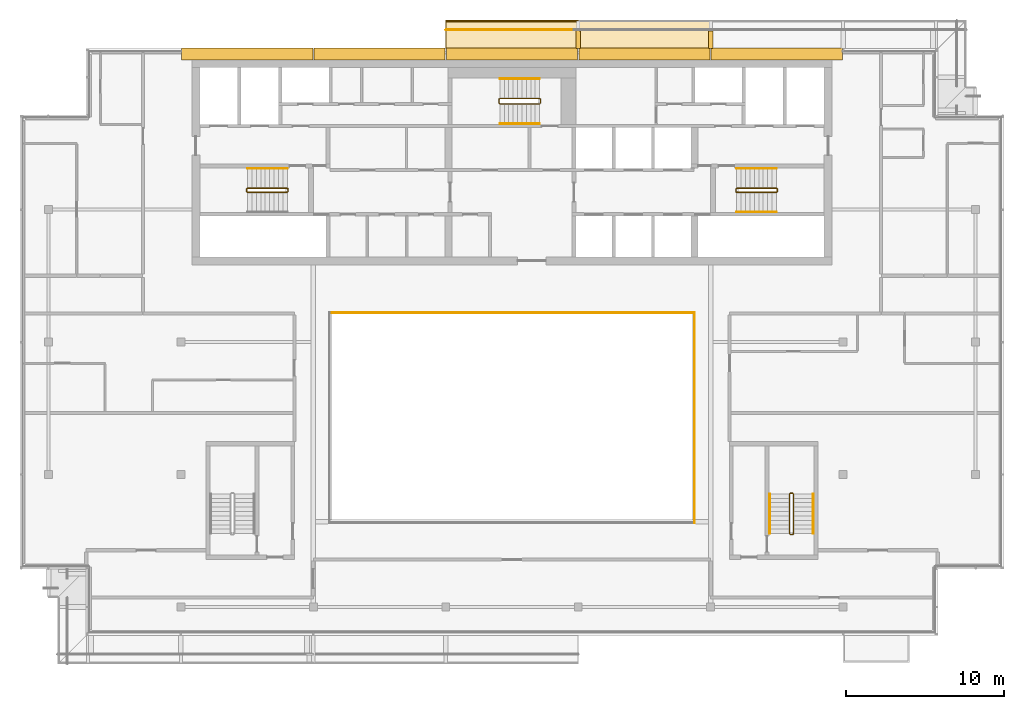
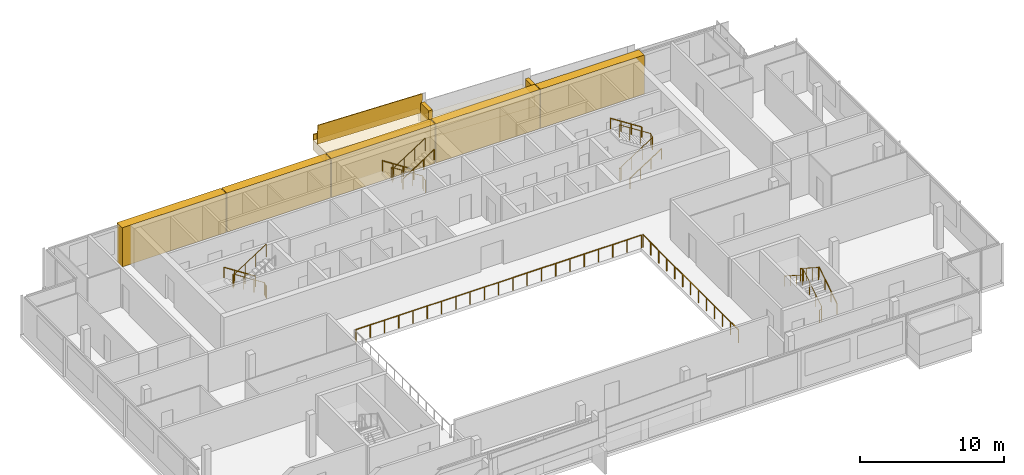
# One storey, part 19 of 22: 14 railings, 10 coverings.
"""IFC4 building model written with IfcOpenShell, lengths in metres."""

from ifc_helpers import new_model, si_unit, direction, frame, origin, origin_2d, place, context, subcontext, project, spatial, polyline, rectangle, circle, outline, extrude, material, layer, layer_set, type_object, element, save


model = new_model("IFC4")

# Units and contexts
model_context = context("Model", 3, precision=1e-05, world=origin(), true_north=direction((0.0, 1.0)))
body_context = subcontext(model_context, "Body", "Model", "MODEL_VIEW")
ifc_project = project(units=[si_unit("LENGTHUNIT", "METRE"), si_unit("AREAUNIT", "SQUARE_METRE"), si_unit("VOLUMEUNIT", "CUBIC_METRE"), si_unit("PLANEANGLEUNIT", "RADIAN"), si_unit("MASSUNIT", "GRAM", prefix="KILO")], contexts=[model_context])

# Site, building, storey
site_placement = place(None, origin())
site = spatial("IfcSite", under=ifc_project, at=site_placement, CompositionType="ELEMENT")
building_placement = place(site_placement, origin())
building = spatial("IfcBuilding", under=site, at=building_placement, Name="Saffron Gate Tower", CompositionType="ELEMENT")
storey_placement = place(building_placement, frame((0.0, 0.0, 295.949951171875)))
storey = spatial("IfcBuildingStorey", under=building, at=storey_placement, Name="L72", CompositionType="ELEMENT", Elevation=295.949951171875)

# Railings
ifc_material_1 = material(Name="Stainless steel and laminated glass", Category="steel")
railing_type_1 = type_object("IfcRailingType", Name="AG1 Atrium edge guard 1100", PredefinedType="GUARDRAIL", material=ifc_material_1)
railing_1_placement = place(storey_placement, frame((76.139892578125, 58.860107421875, 0.0)))
element("IfcRailing", 1, at=railing_1_placement, inside=storey, type_object=railing_type_1, Name="Guard E5-2", PredefinedType="GUARDRAIL", context=body_context, shape_type="SweptSolid", body=[
    extrude(circle(Radius=0.02392578125, at=origin_2d()), frame((0.0, 0.0, 1.076171875), z_axis=(1.0, 0.0, 0.0), x_axis=(0.0, 1.0, 0.0)), (0.0, 0.0, 1.0), 22.920166015625),
    extrude(circle(Radius=0.02099609375, at=origin_2d()), origin(), (0.0, 0.0, 1.0), 1.052001953125),
    extrude(circle(Radius=0.02099609375, at=origin_2d()), frame((1.14599609375, 0.0, 0.0)), (0.0, 0.0, 1.0), 1.052001953125),
    extrude(circle(Radius=0.02099609375, at=origin_2d()), frame((2.2919921875, 0.0, 0.0)), (0.0, 0.0, 1.0), 1.052001953125),
    extrude(circle(Radius=0.02099609375, at=origin_2d()), frame((3.43798828125, 0.0, 0.0)), (0.0, 0.0, 1.0), 1.052001953125),
    extrude(circle(Radius=0.02099609375, at=origin_2d()), frame((4.583984375, 0.0, 0.0)), (0.0, 0.0, 1.0), 1.052001953125),
    extrude(circle(Radius=0.02099609375, at=origin_2d()), frame((5.72998046875, 0.0, 0.0)), (0.0, 0.0, 1.0), 1.052001953125),
    extrude(circle(Radius=0.02099609375, at=origin_2d()), frame((6.8759765625, 0.0, 0.0)), (0.0, 0.0, 1.0), 1.052001953125),
    extrude(circle(Radius=0.02099609375, at=origin_2d()), frame((8.02197265625, 0.0, 0.0)), (0.0, 0.0, 1.0), 1.052001953125),
    extrude(circle(Radius=0.02099609375, at=origin_2d()), frame((9.16796875, 0.0, 0.0)), (0.0, 0.0, 1.0), 1.052001953125),
    extrude(circle(Radius=0.02099609375, at=origin_2d()), frame((10.31396484375, 0.0, 0.0)), (0.0, 0.0, 1.0), 1.052001953125),
    extrude(circle(Radius=0.02099609375, at=origin_2d()), frame((11.4599609375, 0.0, 0.0)), (0.0, 0.0, 1.0), 1.052001953125),
    extrude(circle(Radius=0.02099609375, at=origin_2d()), frame((12.606201171875, 0.0, 0.0)), (0.0, 0.0, 1.0), 1.052001953125),
    extrude(circle(Radius=0.02099609375, at=origin_2d()), frame((13.752197265625, 0.0, 0.0)), (0.0, 0.0, 1.0), 1.052001953125),
    extrude(circle(Radius=0.02099609375, at=origin_2d()), frame((14.898193359375, 0.0, 0.0)), (0.0, 0.0, 1.0), 1.052001953125),
    extrude(circle(Radius=0.02099609375, at=origin_2d()), frame((16.044189453125, 0.0, 0.0)), (0.0, 0.0, 1.0), 1.052001953125),
    extrude(circle(Radius=0.02099609375, at=origin_2d()), frame((17.190185546875, 0.0, 0.0)), (0.0, 0.0, 1.0), 1.052001953125),
    extrude(circle(Radius=0.02099609375, at=origin_2d()), frame((18.336181640625, 0.0, 0.0)), (0.0, 0.0, 1.0), 1.052001953125),
    extrude(circle(Radius=0.02099609375, at=origin_2d()), frame((19.482177734375, 0.0, 0.0)), (0.0, 0.0, 1.0), 1.052001953125),
    extrude(circle(Radius=0.02099609375, at=origin_2d()), frame((20.628173828125, 0.0, 0.0)), (0.0, 0.0, 1.0), 1.052001953125),
    extrude(circle(Radius=0.02099609375, at=origin_2d()), frame((21.774169921875, 0.0, 0.0)), (0.0, 0.0, 1.0), 1.052001953125),
    extrude(circle(Radius=0.02099609375, at=origin_2d()), frame((22.920166015625, 0.0, 0.0)), (0.0, 0.0, 1.0), 1.052001953125),
])
railing_2_placement = place(storey_placement, frame((99.179931640625, 58.860107421875, 0.0)))
element("IfcRailing", 2, at=railing_2_placement, inside=storey, type_object=railing_type_1, Name="Guard E5-3", PredefinedType="GUARDRAIL", context=body_context, shape_type="SweptSolid", body=[
    extrude(circle(Radius=0.02392578125, at=origin_2d()), frame((0.0, 0.0, 1.076171875), z_axis=(0.0, -1.0, 0.0), x_axis=(1.0, 0.0, 0.0)), (0.0, 0.0, 1.0), 13.320068359375),
    extrude(circle(Radius=0.02099609375, at=origin_2d()), origin(), (0.0, 0.0, 1.0), 1.052001953125),
    extrude(circle(Radius=0.02099609375, at=origin_2d()), frame((0.0, -1.110107421875, 0.0)), (0.0, 0.0, 1.0), 1.052001953125),
    extrude(circle(Radius=0.02099609375, at=origin_2d()), frame((0.0, -2.219970703125, 0.0)), (0.0, 0.0, 1.0), 1.052001953125),
    extrude(circle(Radius=0.02099609375, at=origin_2d()), frame((0.0, -3.330078125, 0.0)), (0.0, 0.0, 1.0), 1.052001953125),
    extrude(circle(Radius=0.02099609375, at=origin_2d()), frame((0.0, -4.43994140625, 0.0)), (0.0, 0.0, 1.0), 1.052001953125),
    extrude(circle(Radius=0.02099609375, at=origin_2d()), frame((0.0, -5.550048828125, 0.0)), (0.0, 0.0, 1.0), 1.052001953125),
    extrude(circle(Radius=0.02099609375, at=origin_2d()), frame((0.0, -6.66015625, 0.0)), (0.0, 0.0, 1.0), 1.052001953125),
    extrude(circle(Radius=0.02099609375, at=origin_2d()), frame((0.0, -7.77001953125, 0.0)), (0.0, 0.0, 1.0), 1.052001953125),
    extrude(circle(Radius=0.02099609375, at=origin_2d()), frame((0.0, -8.880126953125, 0.0)), (0.0, 0.0, 1.0), 1.052001953125),
    extrude(circle(Radius=0.02099609375, at=origin_2d()), frame((0.0, -9.989990234375, 0.0)), (0.0, 0.0, 1.0), 1.052001953125),
    extrude(circle(Radius=0.02099609375, at=origin_2d()), frame((0.0, -11.10009765625, 0.0)), (0.0, 0.0, 1.0), 1.052001953125),
    extrude(circle(Radius=0.02099609375, at=origin_2d()), frame((0.0, -12.2099609375, 0.0)), (0.0, 0.0, 1.0), 1.052001953125),
    extrude(circle(Radius=0.02099609375, at=origin_2d()), frame((0.0, -13.320068359375, 0.0)), (0.0, 0.0, 1.0), 1.052001953125),
])

# Coverings
ifc_material_2 = material(Name="Ceramic-printed bronze insulated panel")
ifc_layer_1 = layer(ifc_material_2, 0.739990234375)
ifc_layer_set_1 = layer_set([ifc_layer_1], Name="CLD5 ceramic-printed cladding panel 740")
covering_type_1 = type_object("IfcCoveringType", Name="CLD5 ceramic-printed cladding panel 740", PredefinedType="CLADDING", material=ifc_layer_set_1)
covering_1_placement = place(storey_placement, origin())
element("IfcCovering", 3, at=covering_1_placement, inside=storey, type_object=covering_type_1, Name="CLADDING ceramic-printed panel", PredefinedType="CLADDING", context=body_context, shape_type="SweptSolid", body=[
    extrude(outline(polyline([(108.56494140625, 75.639892578125), (100.235107421875, 75.639892578125), (100.235107421875, 74.89990234375), (108.56494140625, 74.89990234375), (108.56494140625, 75.639892578125)])), origin(), (0.0, 0.0, 1.0), 3.320068359375),
])
covering_2_placement = place(storey_placement, origin())
element("IfcCovering", 4, at=covering_2_placement, inside=storey, type_object=covering_type_1, Name="CLADDING ceramic-printed panel", PredefinedType="CLADDING", context=body_context, shape_type="SweptSolid", body=[
    extrude(outline(polyline([(100.1650390625, 75.639892578125), (91.8349609375, 75.639892578125), (91.8349609375, 74.89990234375), (100.1650390625, 74.89990234375), (100.1650390625, 75.639892578125)])), origin(), (0.0, 0.0, 1.0), 3.320068359375),
])
covering_3_placement = place(storey_placement, origin())
element("IfcCovering", 5, at=covering_3_placement, inside=storey, type_object=covering_type_1, Name="CLADDING ceramic-printed panel", PredefinedType="CLADDING", context=body_context, shape_type="SweptSolid", body=[
    extrude(outline(polyline([(91.764892578125, 75.639892578125), (83.43505859375, 75.639892578125), (83.43505859375, 74.89990234375), (91.764892578125, 74.89990234375), (91.764892578125, 75.639892578125)])), origin(), (0.0, 0.0, 1.0), 3.320068359375),
])
covering_4_placement = place(storey_placement, origin())
element("IfcCovering", 6, at=covering_4_placement, inside=storey, type_object=covering_type_1, Name="CLADDING ceramic-printed panel", PredefinedType="CLADDING", context=body_context, shape_type="SweptSolid", body=[
    extrude(outline(polyline([(83.364990234375, 75.639892578125), (75.034912109375, 75.639892578125), (75.034912109375, 74.89990234375), (83.364990234375, 74.89990234375), (83.364990234375, 75.639892578125)])), origin(), (0.0, 0.0, 1.0), 3.320068359375),
])
covering_5_placement = place(storey_placement, origin())
element("IfcCovering", 7, at=covering_5_placement, inside=storey, type_object=covering_type_1, Name="CLADDING ceramic-printed panel", PredefinedType="CLADDING", context=body_context, shape_type="SweptSolid", body=[
    extrude(outline(polyline([(74.965087890625, 75.639892578125), (66.635009765625, 75.639892578125), (66.635009765625, 74.89990234375), (74.965087890625, 74.89990234375), (74.965087890625, 75.639892578125)])), origin(), (0.0, 0.0, 1.0), 3.320068359375),
])

# Railings
railing_type_2 = type_object("IfcRailingType", Name="CR1 Stair guard 1100", PredefinedType="GUARDRAIL", material=ifc_material_1)
railing_3_placement = place(storey_placement, frame((73.39990234375, 66.550048828125, 0.0)))
element("IfcRailing", 8, at=railing_3_placement, inside=storey, type_object=railing_type_2, Name="L72 ST-A stair guard 1", PredefinedType="GUARDRAIL", context=body_context, shape_type="SweptSolid", body=[
    extrude(circle(Radius=0.02392578125, at=origin_2d()), frame((0.0, 0.0, 1.076171875), z_axis=(0.0, 1.0, 0.0), x_axis=(-1.0, 0.0, 0.0)), (0.0, 0.0, 1.0), 0.14990234375),
    extrude(circle(Radius=0.02392578125, at=origin_2d()), frame((0.0, 0.14990234375, 1.076171875), z_axis=(-0.257669022063, 0.258932105505, 0.930892496375), x_axis=(-0.708833529934, -0.705375805398, 0.0)), (0.0, 0.0, 1.0), 0.193359375),
    extrude(circle(Radius=0.02392578125, at=origin_2d()), frame((-0.0498046875, 0.199951171875, 1.255859375), z_axis=(-0.841162588446, 0.0, 0.540782303519), x_axis=(0.0, -1.0, 0.0)), (0.0, 0.0, 1.0), 2.995849609375),
    extrude(circle(Radius=0.02392578125, at=origin_2d()), frame((-2.56982421875, 0.199951171875, 2.8759765625), z_axis=(-0.707106781187, -0.707106781187, 0.0), x_axis=(0.707106781187, -0.707106781187, 0.0)), (0.0, 0.0, 1.0), 0.07080078125),
    extrude(circle(Radius=0.02392578125, at=origin_2d()), frame((-2.619873046875, 0.14990234375, 2.8759765625), z_axis=(0.0, -1.0, 0.0), x_axis=(1.0, 0.0, 0.0)), (0.0, 0.0, 1.0), 0.14990234375),
    extrude(circle(Radius=0.02392578125, at=origin_2d()), frame((-2.619873046875, 0.0, 2.8759765625), z_axis=(0.258847668887, -0.258847668887, 0.930588936439), x_axis=(0.707106781187, 0.707106781187, 0.0)), (0.0, 0.0, 1.0), 0.193359375),
    extrude(circle(Radius=0.02392578125, at=origin_2d()), frame((-2.56982421875, -0.050048828125, 3.05615234375), z_axis=(0.841162588446, 0.0, 0.540782303519), x_axis=(0.0, 1.0, 0.0)), (0.0, 0.0, 1.0), 2.995849609375),
    extrude(circle(Radius=0.02099609375, at=origin_2d()), origin(), (0.0, 0.0, 1.0), 1.052001953125),
    extrude(circle(Radius=0.02099609375, at=origin_2d()), frame((0.0, 0.14990234375, 0.0)), (0.0, 0.0, 1.0), 1.052001953125),
    extrude(circle(Radius=0.02099609375, at=origin_2d()), frame((-0.0498046875, 0.199951171875, 0.179931640625)), (0.0, 0.0, 1.0), 1.052001953125),
    extrude(circle(Radius=0.02099609375, at=origin_2d()), frame((-0.889892578125, 0.199951171875, 0.719970703125)), (0.0, 0.0, 1.0), 1.052001953125),
    extrude(circle(Radius=0.02099609375, at=origin_2d()), frame((-1.729736328125, 0.199951171875, 1.260009765625)), (0.0, 0.0, 1.0), 1.052001953125),
    extrude(circle(Radius=0.02099609375, at=origin_2d()), frame((-2.56982421875, 0.199951171875, 1.800048828125)), (0.0, 0.0, 1.0), 1.052001953125),
    extrude(circle(Radius=0.02099609375, at=origin_2d()), frame((-2.619873046875, 0.14990234375, 1.800048828125)), (0.0, 0.0, 1.0), 1.052001953125),
    extrude(circle(Radius=0.02099609375, at=origin_2d()), frame((-2.619873046875, 0.0, 1.800048828125)), (0.0, 0.0, 1.0), 1.052001953125),
    extrude(circle(Radius=0.02099609375, at=origin_2d()), frame((-2.56982421875, -0.050048828125, 1.97998046875)), (0.0, 0.0, 1.0), 1.052001953125),
    extrude(circle(Radius=0.02099609375, at=origin_2d()), frame((-1.729736328125, -0.050048828125, 2.52001953125)), (0.0, 0.0, 1.0), 1.052001953125),
    extrude(circle(Radius=0.02099609375, at=origin_2d()), frame((-0.889892578125, -0.050048828125, 3.06005859375)), (0.0, 0.0, 1.0), 1.052001953125),
    extrude(circle(Radius=0.02099609375, at=origin_2d()), frame((-0.0498046875, -0.050048828125, 3.60009765625)), (0.0, 0.0, 1.0), 1.052001953125),
])
railing_4_placement = place(storey_placement, frame((101.800048828125, 66.699951171875, 0.0)))
element("IfcRailing", 9, at=railing_4_placement, inside=storey, type_object=railing_type_2, Name="L72 ST-B stair guard 1", PredefinedType="GUARDRAIL", context=body_context, shape_type="SweptSolid", body=[
    extrude(circle(Radius=0.02392578125, at=origin_2d()), frame((0.0, 0.0, 1.076171875), z_axis=(0.0, -1.0, 0.0), x_axis=(1.0, 0.0, 0.0)), (0.0, 0.0, 1.0), 0.14990234375),
    extrude(circle(Radius=0.02392578125, at=origin_2d()), frame((0.0, -0.14990234375, 1.076171875), z_axis=(0.258847668887, -0.258847668887, 0.930588936439), x_axis=(0.707106781187, 0.707106781187, 0.0)), (0.0, 0.0, 1.0), 0.193359375),
    extrude(circle(Radius=0.02392578125, at=origin_2d()), frame((0.050048828125, -0.199951171875, 1.255859375), z_axis=(0.841162588446, 0.0, 0.540782303519), x_axis=(0.0, 1.0, 0.0)), (0.0, 0.0, 1.0), 2.995849609375),
    extrude(circle(Radius=0.02392578125, at=origin_2d()), frame((2.570068359375, -0.199951171875, 2.8759765625), z_axis=(0.705375805398, 0.708833529934, 0.0), x_axis=(-0.708833529934, 0.705375805398, 0.0)), (0.0, 0.0, 1.0), 0.070556640625),
    extrude(circle(Radius=0.02392578125, at=origin_2d()), frame((2.619873046875, -0.14990234375, 2.8759765625), z_axis=(0.0, 1.0, 0.0), x_axis=(-1.0, 0.0, 0.0)), (0.0, 0.0, 1.0), 0.14990234375),
    extrude(circle(Radius=0.02392578125, at=origin_2d()), frame((2.619873046875, 0.0, 2.8759765625), z_axis=(-0.257669022063, 0.258932105505, 0.930892496375), x_axis=(-0.708833529934, -0.705375805398, 0.0)), (0.0, 0.0, 1.0), 0.193359375),
    extrude(circle(Radius=0.02392578125, at=origin_2d()), frame((2.570068359375, 0.050048828125, 3.05615234375), z_axis=(-0.841162588446, 0.0, 0.540782303519), x_axis=(0.0, -1.0, 0.0)), (0.0, 0.0, 1.0), 2.995849609375),
    extrude(circle(Radius=0.02099609375, at=origin_2d()), origin(), (0.0, 0.0, 1.0), 1.052001953125),
    extrude(circle(Radius=0.02099609375, at=origin_2d()), frame((0.0, -0.14990234375, 0.0)), (0.0, 0.0, 1.0), 1.052001953125),
    extrude(circle(Radius=0.02099609375, at=origin_2d()), frame((0.050048828125, -0.199951171875, 0.179931640625)), (0.0, 0.0, 1.0), 1.052001953125),
    extrude(circle(Radius=0.02099609375, at=origin_2d()), frame((0.89013671875, -0.199951171875, 0.719970703125)), (0.0, 0.0, 1.0), 1.052001953125),
    extrude(circle(Radius=0.02099609375, at=origin_2d()), frame((1.72998046875, -0.199951171875, 1.260009765625)), (0.0, 0.0, 1.0), 1.052001953125),
    extrude(circle(Radius=0.02099609375, at=origin_2d()), frame((2.570068359375, -0.199951171875, 1.800048828125)), (0.0, 0.0, 1.0), 1.052001953125),
    extrude(circle(Radius=0.02099609375, at=origin_2d()), frame((2.619873046875, -0.14990234375, 1.800048828125)), (0.0, 0.0, 1.0), 1.052001953125),
    extrude(circle(Radius=0.02099609375, at=origin_2d()), frame((2.619873046875, 0.0, 1.800048828125)), (0.0, 0.0, 1.0), 1.052001953125),
    extrude(circle(Radius=0.02099609375, at=origin_2d()), frame((2.570068359375, 0.050048828125, 1.97998046875)), (0.0, 0.0, 1.0), 1.052001953125),
    extrude(circle(Radius=0.02099609375, at=origin_2d()), frame((1.72998046875, 0.050048828125, 2.52001953125)), (0.0, 0.0, 1.0), 1.052001953125),
    extrude(circle(Radius=0.02099609375, at=origin_2d()), frame((0.89013671875, 0.050048828125, 3.06005859375)), (0.0, 0.0, 1.0), 1.052001953125),
    extrude(circle(Radius=0.02099609375, at=origin_2d()), frame((0.050048828125, 0.050048828125, 3.60009765625)), (0.0, 0.0, 1.0), 1.052001953125),
])
railing_5_placement = place(storey_placement, frame((89.39990234375, 72.14990234375, 0.0)))
element("IfcRailing", 10, at=railing_5_placement, inside=storey, type_object=railing_type_2, Name="L72 ST-C stair guard 1", PredefinedType="GUARDRAIL", context=body_context, shape_type="SweptSolid", body=[
    extrude(circle(Radius=0.02392578125, at=origin_2d()), frame((0.0, 0.0, 1.076171875), z_axis=(0.0, 1.0, 0.0), x_axis=(-1.0, 0.0, 0.0)), (0.0, 0.0, 1.0), 0.25),
    extrude(circle(Radius=0.02392578125, at=origin_2d()), frame((0.0, 0.25, 1.076171875), z_axis=(-0.257669022063, 0.258932105505, 0.930892496375), x_axis=(-0.708833529934, -0.705375805398, 0.0)), (0.0, 0.0, 1.0), 0.193359375),
    extrude(circle(Radius=0.02392578125, at=origin_2d()), frame((-0.0498046875, 0.300048828125, 1.255859375), z_axis=(-0.841162588446, 0.0, 0.540782303519), x_axis=(0.0, -1.0, 0.0)), (0.0, 0.0, 1.0), 2.995849609375),
    extrude(circle(Radius=0.02392578125, at=origin_2d()), frame((-2.56982421875, 0.300048828125, 2.8759765625), z_axis=(-0.707106781187, -0.707106781187, 0.0), x_axis=(0.707106781187, -0.707106781187, 0.0)), (0.0, 0.0, 1.0), 0.07080078125),
    extrude(circle(Radius=0.02392578125, at=origin_2d()), frame((-2.619873046875, 0.25, 2.8759765625), z_axis=(0.0, -1.0, 0.0), x_axis=(1.0, 0.0, 0.0)), (0.0, 0.0, 1.0), 0.25),
    extrude(circle(Radius=0.02392578125, at=origin_2d()), frame((-2.619873046875, 0.0, 2.8759765625), z_axis=(0.258932105505, -0.257669022063, 0.930892496375), x_axis=(0.705375805398, 0.708833529934, 0.0)), (0.0, 0.0, 1.0), 0.193359375),
    extrude(circle(Radius=0.02392578125, at=origin_2d()), frame((-2.56982421875, -0.0498046875, 3.05615234375), z_axis=(0.841162588446, 0.0, 0.540782303519), x_axis=(0.0, 1.0, 0.0)), (0.0, 0.0, 1.0), 2.995849609375),
    extrude(circle(Radius=0.02099609375, at=origin_2d()), origin(), (0.0, 0.0, 1.0), 1.052001953125),
    extrude(circle(Radius=0.02099609375, at=origin_2d()), frame((0.0, 0.25, 0.0)), (0.0, 0.0, 1.0), 1.052001953125),
    extrude(circle(Radius=0.02099609375, at=origin_2d()), frame((-0.0498046875, 0.300048828125, 0.179931640625)), (0.0, 0.0, 1.0), 1.052001953125),
    extrude(circle(Radius=0.02099609375, at=origin_2d()), frame((-0.889892578125, 0.300048828125, 0.719970703125)), (0.0, 0.0, 1.0), 1.052001953125),
    extrude(circle(Radius=0.02099609375, at=origin_2d()), frame((-1.729736328125, 0.300048828125, 1.260009765625)), (0.0, 0.0, 1.0), 1.052001953125),
    extrude(circle(Radius=0.02099609375, at=origin_2d()), frame((-2.56982421875, 0.300048828125, 1.800048828125)), (0.0, 0.0, 1.0), 1.052001953125),
    extrude(circle(Radius=0.02099609375, at=origin_2d()), frame((-2.619873046875, 0.25, 1.800048828125)), (0.0, 0.0, 1.0), 1.052001953125),
    extrude(circle(Radius=0.02099609375, at=origin_2d()), frame((-2.619873046875, 0.0, 1.800048828125)), (0.0, 0.0, 1.0), 1.052001953125),
    extrude(circle(Radius=0.02099609375, at=origin_2d()), frame((-2.56982421875, -0.0498046875, 1.97998046875)), (0.0, 0.0, 1.0), 1.052001953125),
    extrude(circle(Radius=0.02099609375, at=origin_2d()), frame((-1.729736328125, -0.0498046875, 2.52001953125)), (0.0, 0.0, 1.0), 1.052001953125),
    extrude(circle(Radius=0.02099609375, at=origin_2d()), frame((-0.889892578125, -0.0498046875, 3.06005859375)), (0.0, 0.0, 1.0), 1.052001953125),
    extrude(circle(Radius=0.02099609375, at=origin_2d()), frame((-0.0498046875, -0.0498046875, 3.60009765625)), (0.0, 0.0, 1.0), 1.052001953125),
])
railing_6_placement = place(storey_placement, frame((105.25, 44.800048828125, 0.0)))
element("IfcRailing", 11, at=railing_6_placement, inside=storey, type_object=railing_type_2, Name="L72 ST-E stair guard 1", PredefinedType="GUARDRAIL", context=body_context, shape_type="SweptSolid", body=[
    extrude(circle(Radius=0.02392578125, at=origin_2d()), frame((0.0, 0.0, 1.076171875), z_axis=(1.0, 0.0, 0.0), x_axis=(0.0, 1.0, 0.0)), (0.0, 0.0, 1.0), 0.14990234375),
    extrude(circle(Radius=0.02392578125, at=origin_2d()), frame((0.14990234375, 0.0, 1.076171875), z_axis=(0.258847668887, 0.258847668887, 0.930588936439), x_axis=(-0.707106781187, 0.707106781187, 0.0)), (0.0, 0.0, 1.0), 0.193359375),
    extrude(circle(Radius=0.02392578125, at=origin_2d()), frame((0.199951171875, 0.050048828125, 1.255859375), z_axis=(0.0, 0.841162588446, 0.540782303519), x_axis=(-1.0, 0.0, 0.0)), (0.0, 0.0, 1.0), 2.995849609375),
    extrude(circle(Radius=0.02392578125, at=origin_2d()), frame((0.199951171875, 2.570068359375, 2.8759765625), z_axis=(-0.708833529934, 0.705375805398, 0.0), x_axis=(-0.705375805398, -0.708833529934, 0.0)), (0.0, 0.0, 1.0), 0.070556640625),
    extrude(circle(Radius=0.02392578125, at=origin_2d()), frame((0.14990234375, 2.619873046875, 2.8759765625), z_axis=(-1.0, 0.0, 0.0), x_axis=(0.0, -1.0, 0.0)), (0.0, 0.0, 1.0), 0.14990234375),
    extrude(circle(Radius=0.02392578125, at=origin_2d()), frame((0.0, 2.619873046875, 2.8759765625), z_axis=(-0.258932105505, -0.257669022063, 0.930892496375), x_axis=(0.705375805398, -0.708833529934, 0.0)), (0.0, 0.0, 1.0), 0.193359375),
    extrude(circle(Radius=0.02392578125, at=origin_2d()), frame((-0.050048828125, 2.570068359375, 3.05615234375), z_axis=(0.0, -0.841162588446, 0.540782303519), x_axis=(1.0, 0.0, 0.0)), (0.0, 0.0, 1.0), 2.995849609375),
    extrude(circle(Radius=0.02099609375, at=origin_2d()), origin(), (0.0, 0.0, 1.0), 1.052001953125),
    extrude(circle(Radius=0.02099609375, at=origin_2d()), frame((0.14990234375, 0.0, 0.0)), (0.0, 0.0, 1.0), 1.052001953125),
    extrude(circle(Radius=0.02099609375, at=origin_2d()), frame((0.199951171875, 0.050048828125, 0.179931640625)), (0.0, 0.0, 1.0), 1.052001953125),
    extrude(circle(Radius=0.02099609375, at=origin_2d()), frame((0.199951171875, 0.89013671875, 0.719970703125)), (0.0, 0.0, 1.0), 1.052001953125),
    extrude(circle(Radius=0.02099609375, at=origin_2d()), frame((0.199951171875, 1.72998046875, 1.260009765625)), (0.0, 0.0, 1.0), 1.052001953125),
    extrude(circle(Radius=0.02099609375, at=origin_2d()), frame((0.199951171875, 2.570068359375, 1.800048828125)), (0.0, 0.0, 1.0), 1.052001953125),
    extrude(circle(Radius=0.02099609375, at=origin_2d()), frame((0.14990234375, 2.619873046875, 1.800048828125)), (0.0, 0.0, 1.0), 1.052001953125),
    extrude(circle(Radius=0.02099609375, at=origin_2d()), frame((0.0, 2.619873046875, 1.800048828125)), (0.0, 0.0, 1.0), 1.052001953125),
    extrude(circle(Radius=0.02099609375, at=origin_2d()), frame((-0.050048828125, 2.570068359375, 1.97998046875)), (0.0, 0.0, 1.0), 1.052001953125),
    extrude(circle(Radius=0.02099609375, at=origin_2d()), frame((-0.050048828125, 1.72998046875, 2.52001953125)), (0.0, 0.0, 1.0), 1.052001953125),
    extrude(circle(Radius=0.02099609375, at=origin_2d()), frame((-0.050048828125, 0.89013671875, 3.06005859375)), (0.0, 0.0, 1.0), 1.052001953125),
    extrude(circle(Radius=0.02099609375, at=origin_2d()), frame((-0.050048828125, 0.050048828125, 3.60009765625)), (0.0, 0.0, 1.0), 1.052001953125),
])
ifc_material_3 = material(Name="Stainless steel", Category="steel")
railing_type_3 = type_object("IfcRailingType", Name="CR2 Stair handrail 900", PredefinedType="HANDRAIL", material=ifc_material_3)
railing_7_placement = place(storey_placement, frame((73.35009765625, 68.0, 0.179931640625)))
element("IfcRailing", 12, at=railing_7_placement, inside=storey, type_object=railing_type_3, Name="L72 ST-A stair handrail 1", PredefinedType="HANDRAIL", context=body_context, shape_type="SweptSolid", body=[
    extrude(circle(Radius=0.02392578125, at=origin_2d()), frame((0.0, 0.0, 0.8759765625), z_axis=(-0.841162588446, 0.0, 0.540782303519), x_axis=(0.0, -1.0, 0.0)), (0.0, 0.0, 1.0), 2.995849609375),
    extrude(circle(Radius=0.02099609375, at=origin_2d()), origin(), (0.0, 0.0, 1.0), 0.851806640625),
    extrude(circle(Radius=0.02099609375, at=origin_2d()), frame((-0.840087890625, 0.0, 0.5400390625)), (0.0, 0.0, 1.0), 0.851806640625),
    extrude(circle(Radius=0.02099609375, at=origin_2d()), frame((-1.679931640625, 0.0, 1.080078125)), (0.0, 0.0, 1.0), 0.851806640625),
    extrude(circle(Radius=0.02099609375, at=origin_2d()), frame((-2.52001953125, 0.0, 1.6201171875)), (0.0, 0.0, 1.0), 0.851806640625),
])
railing_8_placement = place(storey_placement, frame((101.85009765625, 65.25, 0.179931640625)))
element("IfcRailing", 13, at=railing_8_placement, inside=storey, type_object=railing_type_3, Name="L72 ST-B stair handrail 1", PredefinedType="HANDRAIL", context=body_context, shape_type="SweptSolid", body=[
    extrude(circle(Radius=0.02392578125, at=origin_2d()), frame((0.0, 0.0, 0.8759765625), z_axis=(0.841162588446, 0.0, 0.540782303519), x_axis=(0.0, 1.0, 0.0)), (0.0, 0.0, 1.0), 2.995849609375),
    extrude(circle(Radius=0.02099609375, at=origin_2d()), origin(), (0.0, 0.0, 1.0), 0.851806640625),
    extrude(circle(Radius=0.02099609375, at=origin_2d()), frame((0.840087890625, 0.0, 0.5400390625)), (0.0, 0.0, 1.0), 0.851806640625),
    extrude(circle(Radius=0.02099609375, at=origin_2d()), frame((1.679931640625, 0.0, 1.080078125)), (0.0, 0.0, 1.0), 0.851806640625),
    extrude(circle(Radius=0.02099609375, at=origin_2d()), frame((2.52001953125, 0.0, 1.6201171875)), (0.0, 0.0, 1.0), 0.851806640625),
])
for number, where, name in (
    (14, (104.3701171875, 68.0, 1.97998046875), "L72 ST-B stair handrail 2"),
    (15, (89.35009765625, 73.699951171875, 0.179931640625), "L72 ST-C stair handrail 1"),
):
    element("IfcRailing", number, at=place(storey_placement, frame(where)), inside=storey, type_object=railing_type_3, Name=name, PredefinedType="HANDRAIL", context=body_context, shape_type="SweptSolid", body=[
        extrude(circle(Radius=0.02392578125, at=origin_2d()), frame((0.0, 0.0, 0.8759765625), z_axis=(-0.841162588446, 0.0, 0.540782303519), x_axis=(0.0, -1.0, 0.0)), (0.0, 0.0, 1.0), 2.995849609375),
        extrude(circle(Radius=0.02099609375, at=origin_2d()), origin(), (0.0, 0.0, 1.0), 0.851806640625),
        extrude(circle(Radius=0.02099609375, at=origin_2d()), frame((-0.840087890625, 0.0, 0.5400390625)), (0.0, 0.0, 1.0), 0.851806640625),
        extrude(circle(Radius=0.02099609375, at=origin_2d()), frame((-1.679931640625, 0.0, 1.080078125)), (0.0, 0.0, 1.0), 0.851806640625),
        extrude(circle(Radius=0.02099609375, at=origin_2d()), frame((-2.52001953125, 0.0, 1.6201171875)), (0.0, 0.0, 1.0), 0.851806640625),
    ])
railing_9_placement = place(storey_placement, frame((86.830078125, 70.85009765625, 1.97998046875)))
element("IfcRailing", 16, at=railing_9_placement, inside=storey, type_object=railing_type_3, Name="L72 ST-C stair handrail 2", PredefinedType="HANDRAIL", context=body_context, shape_type="SweptSolid", body=[
    extrude(circle(Radius=0.02392578125, at=origin_2d()), frame((0.0, 0.0, 0.8759765625), z_axis=(0.841162588446, 0.0, 0.540782303519), x_axis=(0.0, 1.0, 0.0)), (0.0, 0.0, 1.0), 2.995849609375),
    extrude(circle(Radius=0.02099609375, at=origin_2d()), origin(), (0.0, 0.0, 1.0), 0.851806640625),
    extrude(circle(Radius=0.02099609375, at=origin_2d()), frame((0.840087890625, 0.0, 0.5400390625)), (0.0, 0.0, 1.0), 0.851806640625),
    extrude(circle(Radius=0.02099609375, at=origin_2d()), frame((1.679931640625, 0.0, 1.080078125)), (0.0, 0.0, 1.0), 0.851806640625),
    extrude(circle(Radius=0.02099609375, at=origin_2d()), frame((2.52001953125, 0.0, 1.6201171875)), (0.0, 0.0, 1.0), 0.851806640625),
])
railing_10_placement = place(storey_placement, frame((106.699951171875, 44.85009765625, 0.179931640625)))
element("IfcRailing", 17, at=railing_10_placement, inside=storey, type_object=railing_type_3, Name="L72 ST-E stair handrail 1", PredefinedType="HANDRAIL", context=body_context, shape_type="SweptSolid", body=[
    extrude(circle(Radius=0.02392578125, at=origin_2d()), frame((0.0, 0.0, 0.8759765625), z_axis=(0.0, 0.841162588446, 0.540782303519), x_axis=(-1.0, 0.0, 0.0)), (0.0, 0.0, 1.0), 2.995849609375),
    extrude(circle(Radius=0.02099609375, at=origin_2d()), origin(), (0.0, 0.0, 1.0), 0.851806640625),
    extrude(circle(Radius=0.02099609375, at=origin_2d()), frame((0.0, 0.840087890625, 0.5400390625)), (0.0, 0.0, 1.0), 0.851806640625),
    extrude(circle(Radius=0.02099609375, at=origin_2d()), frame((0.0, 1.679931640625, 1.080078125)), (0.0, 0.0, 1.0), 0.851806640625),
    extrude(circle(Radius=0.02099609375, at=origin_2d()), frame((0.0, 2.52001953125, 1.6201171875)), (0.0, 0.0, 1.0), 0.851806640625),
])
railing_11_placement = place(storey_placement, frame((103.949951171875, 47.3701171875, 1.97998046875)))
element("IfcRailing", 18, at=railing_11_placement, inside=storey, type_object=railing_type_3, Name="L72 ST-E stair handrail 2", PredefinedType="HANDRAIL", context=body_context, shape_type="SweptSolid", body=[
    extrude(circle(Radius=0.02392578125, at=origin_2d()), frame((0.0, 0.0, 0.8759765625), z_axis=(0.0, -0.841162588446, 0.540782303519), x_axis=(1.0, 0.0, 0.0)), (0.0, 0.0, 1.0), 2.995849609375),
    extrude(circle(Radius=0.02099609375, at=origin_2d()), origin(), (0.0, 0.0, 1.0), 0.851806640625),
    extrude(circle(Radius=0.02099609375, at=origin_2d()), frame((0.0, -0.840087890625, 0.5400390625)), (0.0, 0.0, 1.0), 0.851806640625),
    extrude(circle(Radius=0.02099609375, at=origin_2d()), frame((0.0, -1.679931640625, 1.080078125)), (0.0, 0.0, 1.0), 0.851806640625),
    extrude(circle(Radius=0.02099609375, at=origin_2d()), frame((0.0, -2.52001953125, 1.6201171875)), (0.0, 0.0, 1.0), 0.851806640625),
])

# Coverings
ifc_material_4 = material(Name="Timber, thermally modified ash", Category="wood")
ifc_layer_2 = layer(ifc_material_4, 0.800048828125)
ifc_layer_set_2 = layer_set([ifc_layer_2], Name="LD1 ledge timber")
covering_type_2 = type_object("IfcCoveringType", Name="LD1 ledge timber", PredefinedType="CLADDING", material=ifc_layer_set_2)
covering_6_placement = place(storey_placement, frame((100.199951171875, 75.60009765625, 2.265869140625), z_axis=(0.028791175352, 0.0, 0.999585448184), x_axis=(-0.999585448184, 0.0, 0.028791175352)))
element("IfcCovering", 19, at=covering_6_placement, inside=storey, type_object=covering_type_2, Name="LEDGE", PredefinedType="CLADDING", context=body_context, shape_type="SweptSolid", body=[
    extrude(outline(polyline([(0.0, 0.0), (8.403385982666892, 0.0), (8.403385982666892, -1.7998046875), (0.0, -1.7998046875), (0.0, 0.0)])), origin(), (0.0, 0.0, -1.0), 0.800048828125),
])
covering_7_placement = place(storey_placement, frame((91.800048828125, 75.60009765625, 3.162109375), z_axis=(0.028819366951, 0.0, 0.999584635781), x_axis=(-0.999584635781, 0.0, 0.028819366951)))
element("IfcCovering", 20, at=covering_7_placement, inside=storey, type_object=covering_type_2, Name="LEDGE", PredefinedType="CLADDING", context=body_context, shape_type="SweptSolid", body=[
    extrude(outline(polyline([(0.0, 0.0), (8.403637054520734, 0.0), (8.403637054520734, -1.7998046874999998), (0.0, -1.7998046874999998), (0.0, 0.0)])), origin(), (0.0, 0.0, -1.0), 0.800048828125),
])
ifc_layer_3 = layer(ifc_material_4, 0.080078125)
ifc_layer_set_3 = layer_set([ifc_layer_3], Name="LD2 ledge planter trough")
covering_type_3 = type_object("IfcCoveringType", Name="LD2 ledge planter trough", PredefinedType="CLADDING", material=ifc_layer_set_3)
covering_8_placement = place(storey_placement, frame((91.800048828125, 77.39990234375, 3.162109375), z_axis=(0.0, 1.0, 0.0), x_axis=(-0.999584635781, 0.0, 0.028819366951)))
element("IfcCovering", 21, at=covering_8_placement, inside=storey, type_object=covering_type_3, Name="LEDGE planter trough", PredefinedType="CLADDING", context=body_context, shape_type="SweptSolid", body=[
    extrude(outline(polyline([(0.0, 0.0), (8.403637054520734, 2.7755575615628914e-17), (8.418046737996397, 0.49979231789027256), (0.014409683475663392, 0.4997923178902725), (0.0, 0.0)])), origin(), (0.0, 0.0, -1.0), 0.080078125),
])
ifc_layer_4 = layer(ifc_material_4, 0.300048828125)
ifc_layer_set_4 = layer_set([ifc_layer_4], Name="LD3 ledge riser fin")
covering_type_4 = type_object("IfcCoveringType", Name="LD3 ledge riser fin", PredefinedType="CLADDING", material=ifc_layer_set_4)
for number, where, z_axis, x_axis, name in (
    (22, (100.199951171875, 76.159912109375, 0.811279296875), (0.0, 0.0, 1.0), (-1.0, 0.0, 0.0), "LEDGE riser fin"),
    (23, (91.800048828125, 76.159912109375, 1.707763671875), (0.0, 0.0, 1.0), (-1.0, 0.0, 0.0), "LEDGE riser fin"),
):
    element("IfcCovering", number, at=place(storey_placement, frame(where, z_axis=z_axis, x_axis=x_axis)), inside=storey, type_object=covering_type_4, Name=name, PredefinedType="CLADDING", context=body_context, shape_type="SweptSolid", body=[
        extrude(rectangle(XDim=0.300048828125, YDim=1.1201171875, at=origin_2d()), origin(), (0.0, 0.0, 1.0), 2.3544921875),
    ])

# Railing
railing_type_4 = type_object("IfcRailingType", Name="LG1 ledge balustrade", PredefinedType="BALUSTRADE", material=ifc_material_4)
railing_12_placement = place(storey_placement, frame((91.800048828125, 76.800048828125, 3.162109375)))
element("IfcRailing", 24, at=railing_12_placement, inside=storey, type_object=railing_type_4, Name="LEDGE BALUSTRADE", PredefinedType="BALUSTRADE", context=body_context, shape_type="SweptSolid", body=[
    extrude(rectangle(XDim=0.06005859375, YDim=1.60009765625, at=origin_2d()), frame((0.0, 0.0, 0.800048828125), z_axis=(-0.999584635781, 0.0, 0.028819366951), x_axis=(0.0, -1.0, 0.0)), (0.0, 0.0, 1.0), 8.403564453125),
])

save(model, "model.ifc")
